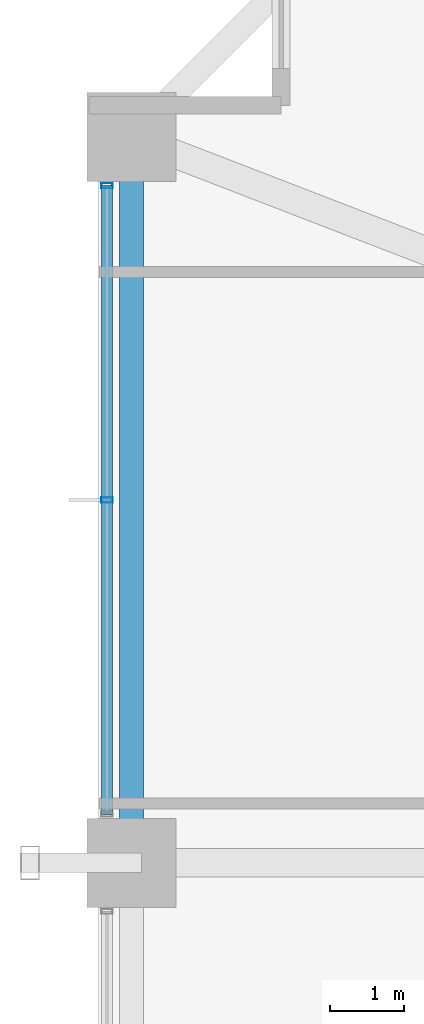
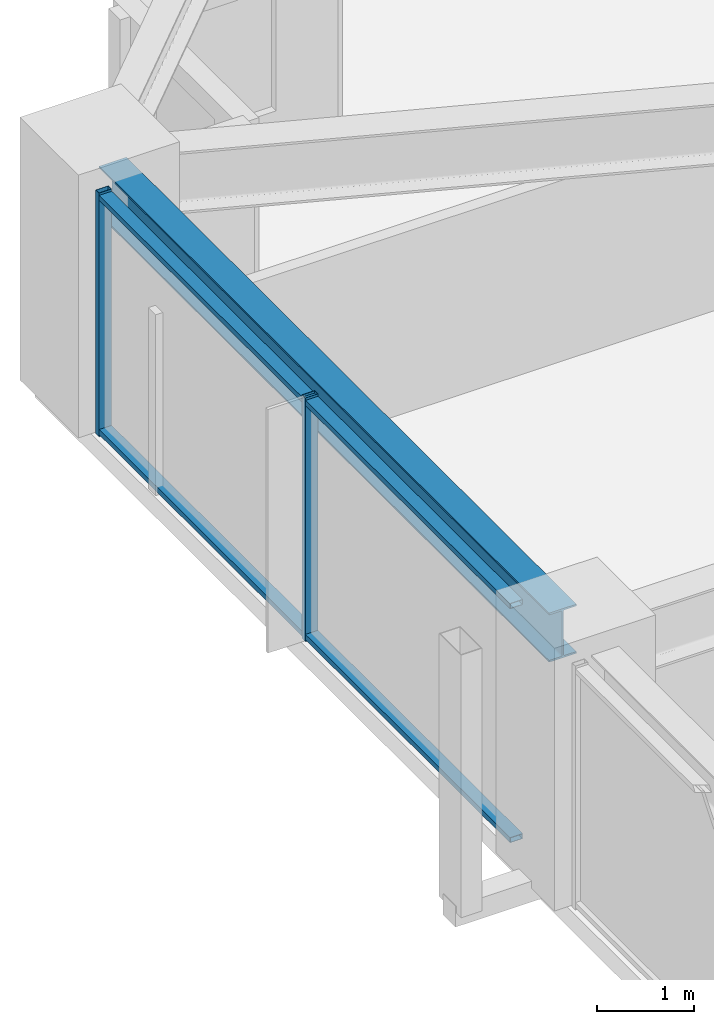
# One storey, part 16 of 38: 4 members, 1 beam, 1 element without a shape of its own.
"""IFC4 building model written with IfcOpenShell, lengths in metres."""

from ifc_helpers import new_model, si_unit, direction, frame, origin, origin_2d, place, context, subcontext, project, spatial, hollow_rectangle, i_section, extrude, material, material_profile, profile_set, type_object, element, aggregate, save


model = new_model("IFC4")

# Units and contexts
model_context = context("Model", 3, precision=1e-05, world=origin(), true_north=direction((0.0, 1.0)))
body_context = subcontext(model_context, "Body", "Model", "MODEL_VIEW")
ifc_project = project(units=[si_unit("LENGTHUNIT", "METRE"), si_unit("AREAUNIT", "SQUARE_METRE"), si_unit("VOLUMEUNIT", "CUBIC_METRE"), si_unit("PLANEANGLEUNIT", "RADIAN"), si_unit("MASSUNIT", "GRAM", prefix="KILO")], contexts=[model_context])

# Site, building, storey
site_placement = place(None, origin())
site = spatial("IfcSite", under=ifc_project, at=site_placement, CompositionType="ELEMENT")
building_placement = place(site_placement, origin())
building = spatial("IfcBuilding", under=site, at=building_placement, Name="Kolvaren Belvedere", CompositionType="ELEMENT")
storey_placement = place(building_placement, frame((0.0, 0.0, 50.199951171875)))
storey = spatial("IfcBuildingStorey", under=building, at=storey_placement, Name="L14", CompositionType="ELEMENT", Elevation=50.199951171875)

# Beam
ifc_material_1 = material(Name="Structural steel ASTM A992 Grade 50", Category="steel")
ifc_material_profile_1 = material_profile(ifc_material_1, i_section(OverallWidth=0.324951171875, OverallDepth=0.615966796875, WebThickness=0.013916015625, FlangeThickness=0.021484375, FilletRadius=0.02001953125, at=origin_2d()), Name="W24X117")
ifc_profile_set_1 = profile_set([ifc_material_profile_1], Name="Structural steel ASTM A992 Grade 50")
beam_type = type_object("IfcBeamType", Name="BM-SPAN-W24X117", PredefinedType="SPANDREL", material=ifc_profile_set_1)
beam_placement = place(storey_placement, frame((-21.550048828125, 14.1298828125, 2.751953125), z_axis=(0.0, -1.0, 0.0), x_axis=(1.0, 0.0, 0.0)))
element("IfcBeam", 1, at=beam_placement, inside=storey, type_object=beam_type, Name="L14 Perimeter Spandrel W4-W3", PredefinedType="SPANDREL", context=body_context, shape_type="SweptSolid", body=[
    extrude(i_section(OverallWidth=0.324951171875, OverallDepth=0.615966796875, WebThickness=0.013916015625, FlangeThickness=0.021484375, FilletRadius=0.02001953125, at=origin_2d()), origin(), (0.0, 0.0, 1.0), 9.259765625),
])

# Curtain wall, members
ifc_material_2 = material(Name="Anodised pale-metal aluminium AA 6063-T6", Category="aluminium")
curtain_wall_type = type_object("IfcCurtainWallType", Name="CW-Z1-LOW", PredefinedType="NOTDEFINED", material=ifc_material_2)
curtain_wall_placement = place(storey_placement, origin())
curtain_wall = element("IfcCurtainWall", 2, at=curtain_wall_placement, inside=storey, type_object=curtain_wall_type, Name="L14 Unitised Curtain Wall FCW-L14-W-B3", PredefinedType="NOTDEFINED")
ifc_material_3 = material(Name="Anodised pale-metal aluminium AA 6063-T6", Category="aluminium")
ifc_material_profile_2 = material_profile(ifc_material_3, hollow_rectangle(XDim=0.070068359375, YDim=0.14990234375, WallThickness=0.004150390625, at=origin_2d()), Name="ALU-MUL-150X70")
ifc_profile_set_2 = profile_set([ifc_material_profile_2], Name="Anodised pale-metal aluminium AA 6063-T6")
member_type_1 = type_object("IfcMemberType", Name="CW-MUL-150", PredefinedType="MULLION", material=ifc_profile_set_2)
member_1_placement = place(storey_placement, frame((-21.8798828125, 9.5, 0.0), z_axis=(0.0, 0.0, 1.0), x_axis=(0.0, 1.0, 0.0)))
member_1 = element("IfcMember", 3, at=member_1_placement, type_object=member_type_1, Name="FCW-L14-W-B3 Unitised Mullion 2", PredefinedType="MULLION", context=body_context, shape_type="SweptSolid", body=[
    extrude(hollow_rectangle(XDim=0.070068359375, YDim=0.14990234375, WallThickness=0.004150390625, at=origin_2d()), origin(), (0.0, 0.0, 1.0), 3.06005859375),
])
member_2_placement = place(storey_placement, frame((-21.8798828125, 13.7451171875, 0.0), z_axis=(0.0, 0.0, 1.0), x_axis=(0.0, 1.0, 0.0)))
member_2 = element("IfcMember", 4, at=member_2_placement, type_object=member_type_1, Name="FCW-L14-W-B3 Unitised Mullion 3", PredefinedType="MULLION", context=body_context, shape_type="SweptSolid", body=[
    extrude(hollow_rectangle(XDim=0.070068359375, YDim=0.14990234375, WallThickness=0.004150390625, at=origin_2d()), origin(), (0.0, 0.0, 1.0), 3.06005859375),
])
ifc_material_4 = material(Name="Anodised pale-metal aluminium AA 6063-T6", Category="aluminium")
ifc_material_profile_3 = material_profile(ifc_material_4, hollow_rectangle(XDim=0.06494140625, YDim=0.14990234375, WallThickness=0.00390625, at=origin_2d()), Name="ALU-TRN-150X65")
ifc_profile_set_3 = profile_set([ifc_material_profile_3], Name="Anodised pale-metal aluminium AA 6063-T6")
member_type_2 = type_object("IfcMemberType", Name="CW-TRN-150", PredefinedType="USERDEFINED", material=ifc_profile_set_3)
member_3_placement = place(storey_placement, frame((-21.8798828125, 5.2548828125, 0.06005859375), z_axis=(0.0, 1.0, 0.0), x_axis=(0.0, 0.0, 1.0)))
member_3 = element("IfcMember", 5, at=member_3_placement, type_object=member_type_2, Name="FCW-L14-W-B3 Sill Transom", ObjectType="TRANSOM", PredefinedType="USERDEFINED", context=body_context, shape_type="SweptSolid", body=[
    extrude(hollow_rectangle(XDim=0.06494140625, YDim=0.14990234375, WallThickness=0.00390625, at=origin_2d()), origin(), (0.0, 0.0, 1.0), 8.490234375),
])
member_4_placement = place(storey_placement, frame((-21.8798828125, 5.2548828125, 3.0), z_axis=(0.0, 1.0, 0.0), x_axis=(0.0, 0.0, 1.0)))
member_4 = element("IfcMember", 6, at=member_4_placement, type_object=member_type_2, Name="FCW-L14-W-B3 Head Transom", ObjectType="TRANSOM", PredefinedType="USERDEFINED", context=body_context, shape_type="SweptSolid", body=[
    extrude(hollow_rectangle(XDim=0.06494140625, YDim=0.14990234375, WallThickness=0.00390625, at=origin_2d()), origin(), (0.0, 0.0, 1.0), 8.490234375),
])
aggregate(curtain_wall, [member_1, member_2, member_3, member_4])

save(model, "model.ifc")
